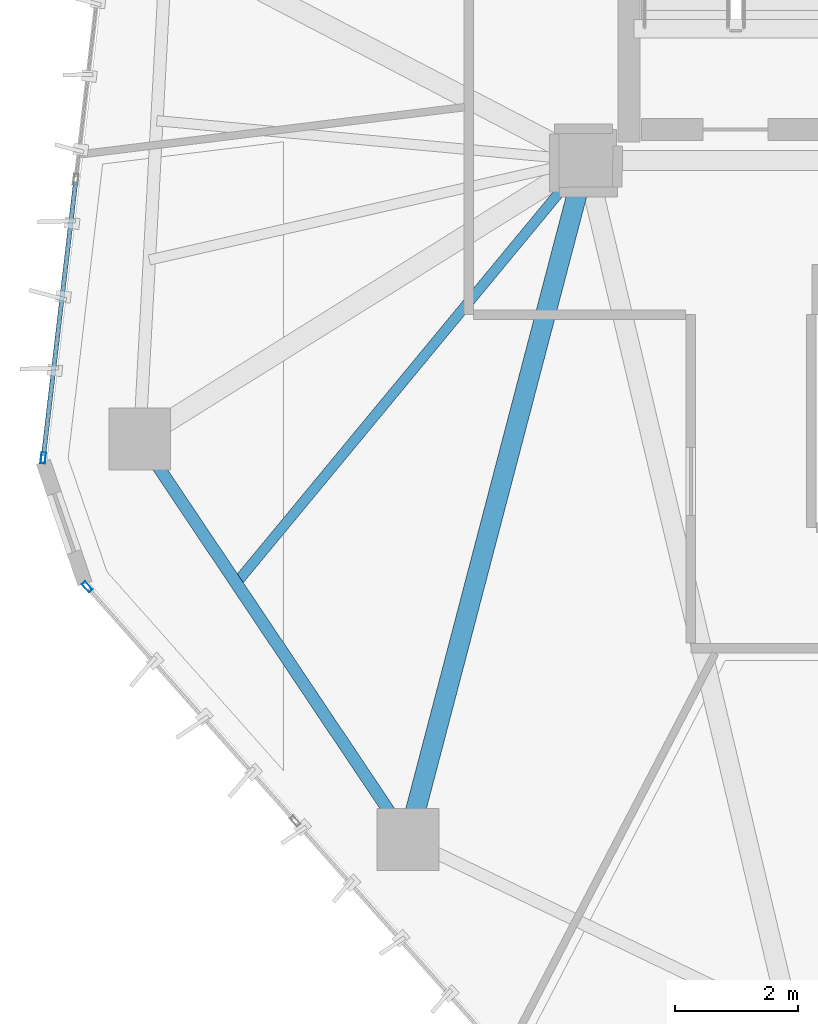
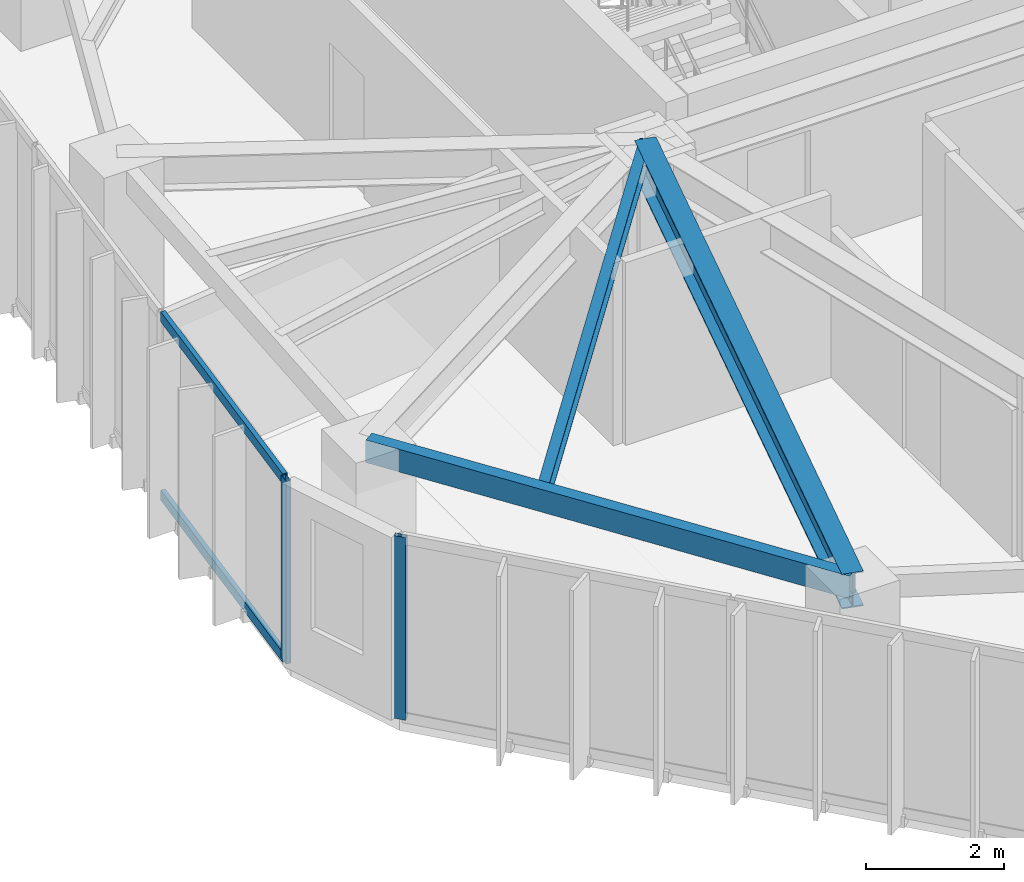
# One storey, part 4 of 22: 4 members, 3 beams, 2 elements without a shape of their own.
"""IFC4 building model written with IfcOpenShell, lengths in metres."""

from ifc_helpers import new_model, si_unit, direction, frame, origin, origin_2d, place, context, subcontext, project, spatial, hollow_rectangle, i_section, extrude, source, transform, mapped, material, layer, layer_set, material_profile, profile_set, type_object, type_shapes, element, aggregate, save


model = new_model("IFC4")

# Units and contexts
model_context = context("Model", 3, precision=1e-05, world=origin(), true_north=direction((0.0, 1.0)))
body_context = subcontext(model_context, "Body", "Model", "MODEL_VIEW")
ifc_project = project(units=[si_unit("LENGTHUNIT", "METRE"), si_unit("AREAUNIT", "SQUARE_METRE"), si_unit("VOLUMEUNIT", "CUBIC_METRE"), si_unit("PLANEANGLEUNIT", "RADIAN"), si_unit("MASSUNIT", "GRAM", prefix="KILO")], contexts=[model_context])

# Site, building, storey
site_placement = place(None, origin())
site = spatial("IfcSite", under=ifc_project, at=site_placement, CompositionType="ELEMENT")
building_placement = place(site_placement, origin())
building = spatial("IfcBuilding", under=site, at=building_placement, Name="Talar Marvaseh", CompositionType="ELEMENT")
storey_placement = place(building_placement, frame((0.0, 0.0, 208.199951171875)))
storey = spatial("IfcBuildingStorey", under=building, at=storey_placement, Name="L54", CompositionType="ELEMENT", Elevation=208.199951171875)

# Beams
ifc_material_1 = material(Name="Steel S355", Category="steel")
ifc_material_profile_1 = material_profile(ifc_material_1, hollow_rectangle(XDim=0.199951171875, YDim=0.39990234375, WallThickness=0.013916015625, at=origin_2d()), Name="RHS400x200x14")
ifc_profile_set_1 = profile_set([ifc_material_profile_1], Name="Steel S355")
beam_type_1 = type_object("IfcBeamType", Name="Zone 3 Perimeter Spandrel Beam RHS400x200x14", PredefinedType="SPANDREL", material=ifc_profile_set_1)
beam_1_placement = place(storey_placement, frame((15.819091796875, 14.5009765625, 3.030029296875), z_axis=(-0.556805579613, 0.830642851358, 0.0), x_axis=(-0.830642851358, -0.556805579613, 0.0)))
element("IfcBeam", 1, at=beam_1_placement, inside=storey, type_object=beam_type_1, Name="L54 Zone 3 Perimeter Spandrel Beam RHS400x200x14", PredefinedType="SPANDREL", context=body_context, shape_type="SweptSolid", body=[
    extrude(hollow_rectangle(XDim=0.199951171875, YDim=0.39990234375, WallThickness=0.013916015625, at=origin_2d()), origin(), (0.0, 0.0, 1.0), 7.807373046875),
])
ifc_material_profile_2 = material_profile(ifc_material_1, i_section(OverallWidth=0.324951171875, OverallDepth=0.615966796875, WebThickness=0.013916015625, FlangeThickness=0.021484375, at=origin_2d()), Name="W610x174")
ifc_profile_set_2 = profile_set([ifc_material_profile_2], Name="Steel S355")
beam_type_2 = type_object("IfcBeamType", Name="Zone 3 Radial Floor Girder W610x174", PredefinedType="BEAM", material=ifc_profile_set_2)
beam_2_placement = place(storey_placement, frame((15.819091796875, 14.5009765625, 2.922119140625), z_axis=(0.253372787776, 0.967368714821, 0.0), x_axis=(-0.967368714821, 0.253372787776, 0.0)))
element("IfcBeam", 2, at=beam_2_placement, inside=storey, type_object=beam_type_2, Name="L54 Zone 3 Radial Floor Girder W610x174", PredefinedType="BEAM", context=body_context, shape_type="SweptSolid", body=[
    extrude(i_section(OverallWidth=0.324951171875, OverallDepth=0.615966796875, WebThickness=0.013916015625, FlangeThickness=0.021484375, at=origin_2d()), origin(), (0.0, 0.0, 1.0), 11.3701171875),
])
ifc_material_profile_3 = material_profile(ifc_material_1, i_section(OverallWidth=0.166015625, OverallDepth=0.31298828125, WebThickness=0.006591796875, FlangeThickness=0.01123046875, at=origin_2d()), Name="W310x45")
ifc_profile_set_3 = profile_set([ifc_material_profile_3], Name="Steel S355")
beam_type_3 = type_object("IfcBeamType", Name="Zone 3 Secondary Floor Joist W310x45", PredefinedType="JOIST", material=ifc_profile_set_3)
beam_3_placement = place(storey_placement, frame((13.036865234375, 18.6513671875, 3.073486328125), z_axis=(0.637250554087, 0.770656688362, 0.0), x_axis=(-0.770656688362, 0.637250554087, 0.0)))
element("IfcBeam", 3, at=beam_3_placement, inside=storey, type_object=beam_type_3, Name="L54 Zone 3 Secondary Floor Joist W310x45", PredefinedType="JOIST", context=body_context, shape_type="SweptSolid", body=[
    extrude(i_section(OverallWidth=0.166015625, OverallDepth=0.31298828125, WebThickness=0.006591796875, FlangeThickness=0.01123046875, at=origin_2d()), origin(), (0.0, 0.0, 1.0), 8.88671875),
])

# Curtain wall, member
ifc_material_2 = material(Name="Architectural Aluminium", Category="aluminium")
ifc_layer = layer(ifc_material_2, 0.18994140625)
ifc_layer_set = layer_set([ifc_layer], Name="Architectural Aluminium")
curtain_wall_type = type_object("IfcCurtainWallType", Name="Unitised Solar Atelier Curtain Wall Z3", PredefinedType="NOTDEFINED", material=ifc_layer_set)
curtain_wall_1_placement = place(storey_placement, origin())
curtain_wall_1 = element("IfcCurtainWall", 4, at=curtain_wall_1_placement, inside=storey, type_object=curtain_wall_type, Name="L54 Unitised Solar Atelier Curtain Wall Z3", PredefinedType="NOTDEFINED")
ifc_material_profile_4 = material_profile(ifc_material_2, hollow_rectangle(XDim=0.074951171875, YDim=0.179931640625, WallThickness=0.0048828125, at=origin_2d()), Name="RHS180x75x5")
ifc_profile_set_4 = profile_set([ifc_material_profile_4], Name="Architectural Aluminium")
member_type_1 = type_object("IfcMemberType", Name="Unitised Curtain Wall Standard Mullion RHS180x75x5", PredefinedType="MULLION", material=ifc_profile_set_4)
shared_shape_1 = source(origin(), body_context, "Body", "SweptSolid", [
    extrude(hollow_rectangle(XDim=0.074951171875, YDim=0.179931640625, WallThickness=0.0048828125, at=origin_2d()), origin(), (0.0, 0.0, 1.0), 3.22998046875),
])
type_shapes(member_type_1, [shared_shape_1])
member_1_placement = place(storey_placement, frame((10.622802734375, 18.59423828125, 0.0), z_axis=(0.0, 0.0, 1.0), x_axis=(-0.747837549972, -0.663881765717, 0.0)))
member_1 = element("IfcMember", 5, at=member_1_placement, type_object=member_type_1, Name="CW-Z3 mullion 4", PredefinedType="MULLION", context=body_context, shape_type="MappedRepresentation", body=[
    mapped(shared_shape_1, transform((0.0, 0.0, 0.0), x_axis=(1.0, 0.0, 0.0), y_axis=(0.0, 1.0, 0.0), z_axis=(0.0, 0.0, 1.0), scale=1.0)),
])
aggregate(curtain_wall_1, [member_1])

# Curtain wall, members
curtain_wall_2_placement = place(storey_placement, origin())
curtain_wall_2 = element("IfcCurtainWall", 6, at=curtain_wall_2_placement, inside=storey, type_object=curtain_wall_type, Name="L54 Unitised Solar Atelier Curtain Wall Z3", PredefinedType="NOTDEFINED")
member_2_placement = place(storey_placement, frame((9.911865234375, 20.682861328125, 0.0), z_axis=(0.0, 0.0, 1.0), x_axis=(-0.993206413634, 0.116365888114, 0.0)))
member_2 = element("IfcMember", 7, at=member_2_placement, type_object=member_type_1, Name="CW-Z3 mullion 1", PredefinedType="MULLION", context=body_context, shape_type="MappedRepresentation", body=[
    mapped(shared_shape_1, transform((0.0, 0.0, 0.0), x_axis=(1.0, 0.0, 0.0), y_axis=(0.0, 1.0, 0.0), z_axis=(0.0, 0.0, 1.0), scale=1.0)),
])
ifc_material_profile_5 = material_profile(ifc_material_2, hollow_rectangle(XDim=0.074951171875, YDim=0.179931640625, WallThickness=0.0048828125, at=origin_2d()), Name="RHS180x75x5")
ifc_profile_set_5 = profile_set([ifc_material_profile_5], Name="Architectural Aluminium")
member_type_2 = type_object("IfcMemberType", Name="Unitised Curtain Wall Transom RHS180x75x5", PredefinedType="USERDEFINED", material=ifc_profile_set_5)
shared_shape_2 = source(origin(), body_context, "Body", "SweptSolid", [
    extrude(hollow_rectangle(XDim=0.074951171875, YDim=0.179931640625, WallThickness=0.0048828125, at=origin_2d()), origin(), (0.0, 0.0, 1.0), 4.464599609375),
])
type_shapes(member_type_2, [shared_shape_2])
member_3_placement = place(storey_placement, frame((9.916259765625, 20.719970703125, 0.03759765625), z_axis=(0.116365324491, 0.993206479669, 0.0), x_axis=(-0.993206479669, 0.116365324491, 0.0)))
member_3 = element("IfcMember", 8, at=member_3_placement, type_object=member_type_2, Name="CW-Z3 transom 1.1", ObjectType="TRANSOM", PredefinedType="USERDEFINED", context=body_context, shape_type="MappedRepresentation", body=[
    mapped(shared_shape_2, transform((0.0, 0.0, 0.0), x_axis=(1.0, 0.0, 0.0), y_axis=(0.0, 1.0, 0.0), z_axis=(0.0, 0.0, 1.0), scale=1.0)),
])
member_4_placement = place(storey_placement, frame((9.916259765625, 20.719970703125, 3.192626953125), z_axis=(0.116365324491, 0.993206479669, 0.0), x_axis=(-0.993206479669, 0.116365324491, 0.0)))
member_4 = element("IfcMember", 9, at=member_4_placement, type_object=member_type_2, Name="CW-Z3 transom 1.2", ObjectType="TRANSOM", PredefinedType="USERDEFINED", context=body_context, shape_type="MappedRepresentation", body=[
    mapped(shared_shape_2, transform((0.0, 0.0, 0.0), x_axis=(1.0, 0.0, 0.0), y_axis=(0.0, 1.0, 0.0), z_axis=(0.0, 0.0, 1.0), scale=1.0)),
])
aggregate(curtain_wall_2, [member_2, member_3, member_4])

save(model, "model.ifc")
